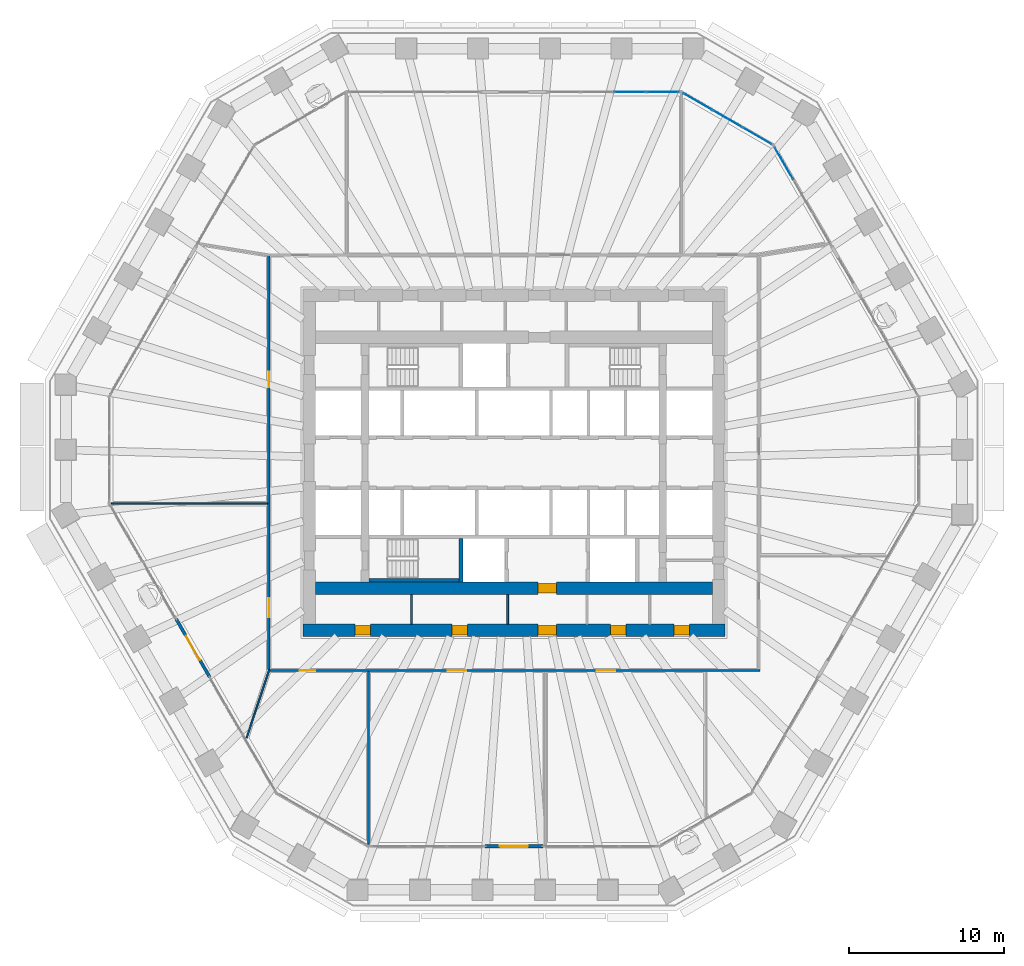
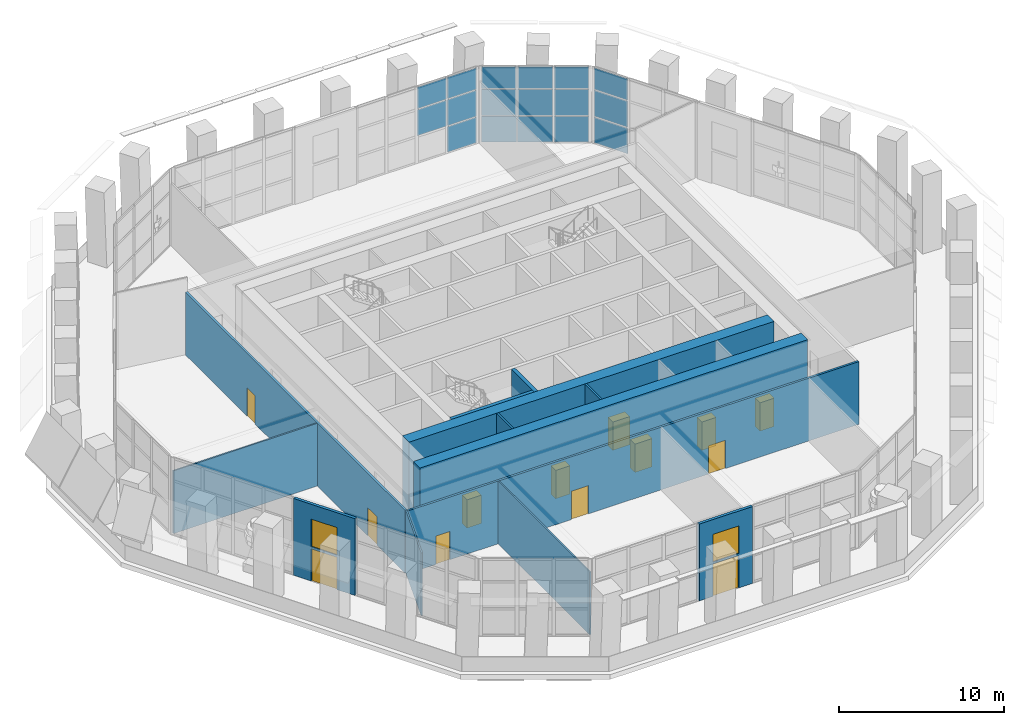
# One storey, part 13 of 22: 17 plates, 13 doors, 13 walls, 2 windows, 15 openings, 3 elements without a shape of their own.
"""IFC4 building model written with IfcOpenShell, lengths in metres."""

from ifc_helpers import new_model, si_unit, direction, frame, frame_2d, origin, origin_2d, place, context, subcontext, project, spatial, rectangle, extrude, material, layer, layer_set, type_object, element, fill, aggregate, save


model = new_model("IFC4")

# Units and contexts
model_context = context("Model", 3, precision=1e-05, world=origin(), true_north=direction((0.0, 1.0)))
body_context = subcontext(model_context, "Body", "Model", "MODEL_VIEW")
ifc_project = project(units=[si_unit("LENGTHUNIT", "METRE"), si_unit("AREAUNIT", "SQUARE_METRE"), si_unit("VOLUMEUNIT", "CUBIC_METRE"), si_unit("PLANEANGLEUNIT", "RADIAN"), si_unit("MASSUNIT", "GRAM", prefix="KILO")], contexts=[model_context])

# Site, building, storey
site_placement = place(None, origin())
site = spatial("IfcSite", under=ifc_project, at=site_placement, CompositionType="ELEMENT")
building_placement = place(site_placement, origin())
building = spatial("IfcBuilding", under=site, at=building_placement, Name="Frailejon Research Tower", CompositionType="ELEMENT")
storey_placement = place(building_placement, frame((0.0, 0.0, 107.199951171875)))
storey = spatial("IfcBuildingStorey", under=building, at=storey_placement, Name="L23", CompositionType="ELEMENT", Elevation=107.199951171875)

# Curtain wall, plates
ifc_material_1 = material(Name="Aluminium curtain wall", Category="aluminium")
curtain_wall_type = type_object("IfcCurtainWallType", Name="Sky lobby curtain wall system", PredefinedType="NOTDEFINED", material=ifc_material_1)
curtain_wall_1_placement = place(storey_placement, origin())
curtain_wall_1 = element("IfcCurtainWall", 1, at=curtain_wall_1_placement, inside=storey, type_object=curtain_wall_type, Name="Curtain wall L23", PredefinedType="NOTDEFINED")
ifc_material_2 = material(Name="Clear laminated glass", Category="glass")
ifc_layer_1 = layer(ifc_material_2, 0.031982421875)
ifc_layer_set_1 = layer_set([ifc_layer_1], Name="Sky lobby curtain wall glass panel 32")
plate_type = type_object("IfcPlateType", Name="Sky lobby curtain wall glass panel 32", PredefinedType="CURTAIN_PANEL", material=ifc_layer_set_1)
plate_1_placement = place(storey_placement, frame((17.4150390625, 19.295654296875, 0.070068359375), z_axis=(0.0, 0.0, 1.0), x_axis=(-0.499994947925, 0.866028320581, 0.0)))
plate_1 = element("IfcPlate", 2, at=plate_1_placement, type_object=plate_type, Name="CW4-083 panel 3.1", PredefinedType="CURTAIN_PANEL", context=body_context, shape_type="SweptSolid", body=[
    extrude(rectangle(XDim=2.355224609375, YDim=0.031982421875, at=origin_2d()), origin(), (0.0, 0.0, 1.0), 1.89501953125),
])
plate_2_placement = place(storey_placement, frame((17.4150390625, 19.295654296875, 2.03515625), z_axis=(0.0, 0.0, 1.0), x_axis=(-0.499994947925, 0.866028320581, 0.0)))
plate_2 = element("IfcPlate", 3, at=plate_2_placement, type_object=plate_type, Name="CW4-083 panel 3.2", PredefinedType="CURTAIN_PANEL", context=body_context, shape_type="SweptSolid", body=[
    extrude(rectangle(XDim=2.355224609375, YDim=0.031982421875, at=origin_2d()), origin(), (0.0, 0.0, 1.0), 1.929931640625),
])
plate_3_placement = place(storey_placement, frame((17.4150390625, 19.295654296875, 4.03515625), z_axis=(0.0, 0.0, 1.0), x_axis=(-0.499994947925, 0.866028320581, 0.0)))
plate_3 = element("IfcPlate", 4, at=plate_3_placement, type_object=plate_type, Name="CW4-083 panel 3.3", PredefinedType="CURTAIN_PANEL", context=body_context, shape_type="SweptSolid", body=[
    extrude(rectangle(XDim=2.355224609375, YDim=0.031982421875, at=origin_2d()), origin(), (0.0, 0.0, 1.0), 1.594970703125),
])
aggregate(curtain_wall_1, [plate_1, plate_2, plate_3])

curtain_wall_2_placement = place(storey_placement, origin())
curtain_wall_2 = element("IfcCurtainWall", 5, at=curtain_wall_2_placement, inside=storey, type_object=curtain_wall_type, Name="Curtain wall L23", PredefinedType="NOTDEFINED")
plate_4_placement = place(storey_placement, frame((15.676025390625, 21.07763671875, 0.070068359375), z_axis=(0.0, 0.0, 1.0), x_axis=(-0.866026409075, 0.499998258782, 0.0)))
plate_4 = element("IfcPlate", 6, at=plate_4_placement, type_object=plate_type, Name="CW4-084 panel 1.1", PredefinedType="CURTAIN_PANEL", context=body_context, shape_type="SweptSolid", body=[
    extrude(rectangle(XDim=2.119873046875, YDim=0.031982421875, at=origin_2d()), origin(), (0.0, 0.0, 1.0), 1.89501953125),
])
plate_5_placement = place(storey_placement, frame((15.676025390625, 21.07763671875, 2.03515625), z_axis=(0.0, 0.0, 1.0), x_axis=(-0.866026409075, 0.499998258782, 0.0)))
plate_5 = element("IfcPlate", 7, at=plate_5_placement, type_object=plate_type, Name="CW4-084 panel 1.2", PredefinedType="CURTAIN_PANEL", context=body_context, shape_type="SweptSolid", body=[
    extrude(rectangle(XDim=2.119873046875, YDim=0.031982421875, at=origin_2d()), origin(), (0.0, 0.0, 1.0), 1.929931640625),
])
plate_6_placement = place(storey_placement, frame((15.676025390625, 21.07763671875, 4.03515625), z_axis=(0.0, 0.0, 1.0), x_axis=(-0.866026409075, 0.499998258782, 0.0)))
plate_6 = element("IfcPlate", 8, at=plate_6_placement, type_object=plate_type, Name="CW4-084 panel 1.3", PredefinedType="CURTAIN_PANEL", context=body_context, shape_type="SweptSolid", body=[
    extrude(rectangle(XDim=2.119873046875, YDim=0.031982421875, at=origin_2d()), origin(), (0.0, 0.0, 1.0), 1.594970703125),
])
plate_7_placement = place(storey_placement, frame((13.764404296875, 22.181396484375, 0.070068359375), z_axis=(0.0, 0.0, 1.0), x_axis=(-0.866026409075, 0.499998258782, 0.0)))
plate_7 = element("IfcPlate", 9, at=plate_7_placement, type_object=plate_type, Name="CW4-084 panel 2.1", PredefinedType="CURTAIN_PANEL", context=body_context, shape_type="SweptSolid", body=[
    extrude(rectangle(XDim=2.15478515625, YDim=0.031982421875, at=origin_2d()), origin(), (0.0, 0.0, 1.0), 1.89501953125),
])
plate_8_placement = place(storey_placement, frame((13.764404296875, 22.181396484375, 2.03515625), z_axis=(0.0, 0.0, 1.0), x_axis=(-0.866026409075, 0.499998258782, 0.0)))
plate_8 = element("IfcPlate", 10, at=plate_8_placement, type_object=plate_type, Name="CW4-084 panel 2.2", PredefinedType="CURTAIN_PANEL", context=body_context, shape_type="SweptSolid", body=[
    extrude(rectangle(XDim=2.15478515625, YDim=0.031982421875, at=origin_2d()), origin(), (0.0, 0.0, 1.0), 1.929931640625),
])
plate_9_placement = place(storey_placement, frame((13.764404296875, 22.181396484375, 4.03515625), z_axis=(0.0, 0.0, 1.0), x_axis=(-0.866026409075, 0.499998258782, 0.0)))
plate_9 = element("IfcPlate", 11, at=plate_9_placement, type_object=plate_type, Name="CW4-084 panel 2.3", PredefinedType="CURTAIN_PANEL", context=body_context, shape_type="SweptSolid", body=[
    extrude(rectangle(XDim=2.15478515625, YDim=0.031982421875, at=origin_2d()), origin(), (0.0, 0.0, 1.0), 1.594970703125),
])
plate_10_placement = place(storey_placement, frame((11.852783203125, 23.284912109375, 0.070068359375), z_axis=(0.0, 0.0, 1.0), x_axis=(-0.866026409075, 0.499998258782, 0.0)))
plate_10 = element("IfcPlate", 12, at=plate_10_placement, type_object=plate_type, Name="CW4-084 panel 3.1", PredefinedType="CURTAIN_PANEL", context=body_context, shape_type="SweptSolid", body=[
    extrude(rectangle(XDim=2.119873046875, YDim=0.031982421875, at=origin_2d()), origin(), (0.0, 0.0, 1.0), 1.89501953125),
])
plate_11_placement = place(storey_placement, frame((11.852783203125, 23.284912109375, 2.03515625), z_axis=(0.0, 0.0, 1.0), x_axis=(-0.866026409075, 0.499998258782, 0.0)))
plate_11 = element("IfcPlate", 13, at=plate_11_placement, type_object=plate_type, Name="CW4-084 panel 3.2", PredefinedType="CURTAIN_PANEL", context=body_context, shape_type="SweptSolid", body=[
    extrude(rectangle(XDim=2.119873046875, YDim=0.031982421875, at=origin_2d()), origin(), (0.0, 0.0, 1.0), 1.929931640625),
])
plate_12_placement = place(storey_placement, frame((11.852783203125, 23.284912109375, 4.03515625), z_axis=(0.0, 0.0, 1.0), x_axis=(-0.866026409075, 0.499998258782, 0.0)))
plate_12 = element("IfcPlate", 14, at=plate_12_placement, type_object=plate_type, Name="CW4-084 panel 3.3", PredefinedType="CURTAIN_PANEL", context=body_context, shape_type="SweptSolid", body=[
    extrude(rectangle(XDim=2.119873046875, YDim=0.031982421875, at=origin_2d()), origin(), (0.0, 0.0, 1.0), 1.594970703125),
])
aggregate(curtain_wall_2, [plate_4, plate_5, plate_6, plate_7, plate_8, plate_9, plate_10, plate_11, plate_12])

curtain_wall_3_placement = place(storey_placement, origin())
curtain_wall_3 = element("IfcCurtainWall", 15, at=curtain_wall_3_placement, inside=storey, type_object=curtain_wall_type, Name="Curtain wall L23", PredefinedType="NOTDEFINED")
plate_13_placement = place(storey_placement, frame((9.603759765625, 23.89990234375, 0.070068359375), z_axis=(0.0, 0.0, 1.0), x_axis=(-1.0, 0.0, 0.0)))
plate_13 = element("IfcPlate", 16, at=plate_13_placement, type_object=plate_type, Name="CW4-085 panel 1.1", PredefinedType="CURTAIN_PANEL", context=body_context, shape_type="SweptSolid", body=[
    extrude(rectangle(XDim=2.027587890625, YDim=0.031982421875, at=origin_2d()), origin(), (0.0, 0.0, 1.0), 1.89501953125),
])
plate_14_placement = place(storey_placement, frame((9.603759765625, 23.89990234375, 2.03515625), z_axis=(0.0, 0.0, 1.0), x_axis=(-1.0, 0.0, 0.0)))
plate_14 = element("IfcPlate", 17, at=plate_14_placement, type_object=plate_type, Name="CW4-085 panel 1.2", PredefinedType="CURTAIN_PANEL", context=body_context, shape_type="SweptSolid", body=[
    extrude(rectangle(XDim=2.027587890625, YDim=0.031982421875, at=origin_2d()), origin(), (0.0, 0.0, 1.0), 1.929931640625),
])
plate_15_placement = place(storey_placement, frame((9.603759765625, 23.89990234375, 4.03515625), z_axis=(0.0, 0.0, 1.0), x_axis=(-1.0, 0.0, 0.0)))
plate_15 = element("IfcPlate", 18, at=plate_15_placement, type_object=plate_type, Name="CW4-085 panel 1.3", PredefinedType="CURTAIN_PANEL", context=body_context, shape_type="SweptSolid", body=[
    extrude(rectangle(XDim=2.027587890625, YDim=0.031982421875, at=origin_2d()), origin(), (0.0, 0.0, 1.0), 1.594970703125),
])
plate_16_placement = place(storey_placement, frame((7.48876953125, 23.89990234375, 2.03515625), z_axis=(0.0, 0.0, 1.0), x_axis=(-1.0, 0.0, 0.0)))
plate_16 = element("IfcPlate", 19, at=plate_16_placement, type_object=plate_type, Name="CW4-085 panel 2.2", PredefinedType="CURTAIN_PANEL", context=body_context, shape_type="SweptSolid", body=[
    extrude(rectangle(XDim=2.0625, YDim=0.031982421875, at=origin_2d()), origin(), (0.0, 0.0, 1.0), 1.929931640625),
])
plate_17_placement = place(storey_placement, frame((7.48876953125, 23.89990234375, 4.03515625), z_axis=(0.0, 0.0, 1.0), x_axis=(-1.0, 0.0, 0.0)))
plate_17 = element("IfcPlate", 20, at=plate_17_placement, type_object=plate_type, Name="CW4-085 panel 2.3", PredefinedType="CURTAIN_PANEL", context=body_context, shape_type="SweptSolid", body=[
    extrude(rectangle(XDim=2.0625, YDim=0.031982421875, at=origin_2d()), origin(), (0.0, 0.0, 1.0), 1.594970703125),
])
aggregate(curtain_wall_3, [plate_13, plate_14, plate_15, plate_16, plate_17])

# Walls
ifc_material_3 = material(Name="Plasterboard on steel studs", Category="steel")
ifc_layer_2 = layer(ifc_material_3, 0.125)
ifc_layer_set_2 = layer_set([ifc_layer_2], Name="Core partition 125")
wall_type_1 = type_object("IfcWallType", Name="Core partition 125", PredefinedType="PARTITIONING", material=ifc_layer_set_2)
for number, where, z_axis, x_axis, name in (
    (21, (-6.606201171875, -10.39990234375, 0.0), (0.0, 0.0, 1.0), (0.0, 1.0, 0.0), "Core partition"),
    (22, (-0.41259765625, -10.39990234375, 0.0), (0.0, 0.0, 1.0), (0.0, 1.0, 0.0), "Core partition"),
):
    element("IfcWall", number, at=place(storey_placement, frame(where, z_axis=z_axis, x_axis=x_axis)), inside=storey, type_object=wall_type_1, Name=name, PredefinedType="PARTITIONING", context=body_context, shape_type="SweptSolid", body=[
        extrude(rectangle(XDim=1.89990234375, YDim=0.125, at=frame_2d((0.949951171875, 0.0))), origin(), (0.0, 0.0, 1.0), 5.699951171875),
    ])

# Wall, openings, doors
ifc_material_4 = material(Name="Concrete C70/85", Category="concrete")
ifc_layer_3 = layer(ifc_material_4, 0.800048828125)
ifc_layer_set_3 = layer_set([ifc_layer_3], Name="Core shear wall 800 C70/85")
wall_type_2 = type_object("IfcWallType", Name="Core shear wall 800 C70/85", PredefinedType="SHEAR", material=ifc_layer_set_3)
wall_1_placement = place(storey_placement, frame((-13.60009765625, -10.800048828125, 0.0), z_axis=(0.0, 0.0, 1.0), x_axis=(1.0, 0.0, 0.0)))
wall_1 = element("IfcWall", 23, at=wall_1_placement, inside=storey, type_object=wall_type_2, Name="Core shear wall", PredefinedType="SHEAR", context=body_context, shape_type="SweptSolid", body=[
    extrude(rectangle(XDim=27.2001953125, YDim=0.800048828125, at=frame_2d((13.60009765625, 0.0))), origin(), (0.0, 0.0, 1.0), 5.699951171875),
])
opening_1_placement = place(wall_1_placement, frame((3.365478515625, 0.0, 0.0)))
opening_1 = element("IfcOpeningElement", 24, at=opening_1_placement, cuts=wall_1, Name="Opening D4", PredefinedType="OPENING", context=body_context, shape_type="SweptSolid", body=[
    extrude(rectangle(XDim=1.0, YDim=2.10009765625, at=frame_2d((0.5, 1.050048828125))), frame((0.0, 0.409912109375, 0.0), z_axis=(0.0, -1.0, 0.0), x_axis=(1.0, 0.0, 0.0)), (0.0, 0.0, 1.0), 0.820068359375),
])
opening_2_placement = place(wall_1_placement, frame((9.590576171875, 0.0, 0.0)))
opening_2 = element("IfcOpeningElement", 25, at=opening_2_placement, cuts=wall_1, Name="Opening D4", PredefinedType="OPENING", context=body_context, shape_type="SweptSolid", body=[
    extrude(rectangle(XDim=1.0, YDim=2.10009765625, at=frame_2d((0.5, 1.050048828125))), frame((0.0, 0.409912109375, 0.0), z_axis=(0.0, -1.0, 0.0), x_axis=(1.0, 0.0, 0.0)), (0.0, 0.0, 1.0), 0.820068359375),
])
opening_3_placement = place(wall_1_placement, frame((19.83447265625, 0.0, 0.0)))
opening_3 = element("IfcOpeningElement", 26, at=opening_3_placement, cuts=wall_1, Name="Opening D4", PredefinedType="OPENING", context=body_context, shape_type="SweptSolid", body=[
    extrude(rectangle(XDim=1.0, YDim=2.10009765625, at=frame_2d((0.5, 1.050048828125))), frame((0.0, 0.409912109375, 0.0), z_axis=(0.0, -1.0, 0.0), x_axis=(1.0, 0.0, 0.0)), (0.0, 0.0, 1.0), 0.820068359375),
])
opening_4_placement = place(wall_1_placement, frame((23.909423828125, 0.0, 0.0)))
opening_4 = element("IfcOpeningElement", 27, at=opening_4_placement, cuts=wall_1, Name="Opening D4", PredefinedType="OPENING", context=body_context, shape_type="SweptSolid", body=[
    extrude(rectangle(XDim=1.0, YDim=2.10009765625, at=frame_2d((0.5, 1.050048828125))), frame((0.0, 0.409912109375, 0.0), z_axis=(0.0, -1.0, 0.0), x_axis=(1.0, 0.0, 0.0)), (0.0, 0.0, 1.0), 0.820068359375),
])
opening_5_placement = place(wall_1_placement, frame((15.14990234375, 0.0, 0.0)))
opening_5 = element("IfcOpeningElement", 28, at=opening_5_placement, cuts=wall_1, Name="Opening D3", PredefinedType="OPENING", context=body_context, shape_type="SweptSolid", body=[
    extrude(rectangle(XDim=1.199951171875, YDim=2.10009765625, at=frame_2d((0.60009765625, 1.050048828125))), frame((0.0, 0.409912109375, 0.0), z_axis=(0.0, -1.0, 0.0), x_axis=(1.0, 0.0, 0.0)), (0.0, 0.0, 1.0), 0.820068359375),
])
ifc_material_5 = material(Name="Steel", Category="steel")
door_type_1 = type_object("IfcDoorType", Name="Firefighting lobby door", OperationType="SINGLE_SWING_LEFT", PredefinedType="DOOR", material=ifc_material_5)
door_1_placement = place(opening_5_placement, origin())
door_1 = element("IfcDoor", 29, at=door_1_placement, inside=storey, type_object=door_type_1, Name="Passage door", OperationType="SINGLE_SWING_LEFT", OverallHeight=2.10009765625, OverallWidth=1.199951171875, PredefinedType="DOOR", context=body_context, shape_type="SweptSolid", body=[
    extrude(rectangle(XDim=1.199951171875, YDim=2.10009765625, at=frame_2d((0.60009765625, 1.050048828125))), frame((0.0, 0.300048828125, 0.0), z_axis=(0.0, -1.0, 0.0), x_axis=(1.0, 0.0, 0.0)), (0.0, 0.0, 1.0), 0.60009765625),
])
fill(opening_5, door_1)
ifc_material_6 = material(Name="Steel", Category="steel")
door_type_2 = type_object("IfcDoorType", Name="Service door", OperationType="SINGLE_SWING_LEFT", PredefinedType="DOOR", material=ifc_material_6)
door_2_placement = place(opening_1_placement, origin())
door_2 = element("IfcDoor", 30, at=door_2_placement, inside=storey, type_object=door_type_2, Name="Room door", OperationType="SINGLE_SWING_LEFT", OverallHeight=2.10009765625, OverallWidth=1.0, PredefinedType="DOOR", context=body_context, shape_type="SweptSolid", body=[
    extrude(rectangle(XDim=1.0, YDim=2.10009765625, at=frame_2d((0.5, 1.050048828125))), frame((0.0, 0.300048828125, 0.0), z_axis=(0.0, -1.0, 0.0), x_axis=(1.0, 0.0, 0.0)), (0.0, 0.0, 1.0), 0.60009765625),
])
fill(opening_1, door_2)
door_3_placement = place(opening_2_placement, origin())
door_3 = element("IfcDoor", 31, at=door_3_placement, inside=storey, type_object=door_type_2, Name="Room door", OperationType="SINGLE_SWING_RIGHT", OverallHeight=2.10009765625, OverallWidth=1.0, PredefinedType="DOOR", context=body_context, shape_type="SweptSolid", body=[
    extrude(rectangle(XDim=1.0, YDim=2.10009765625, at=frame_2d((0.5, 1.050048828125))), frame((0.0, 0.300048828125, 0.0), z_axis=(0.0, -1.0, 0.0), x_axis=(1.0, 0.0, 0.0)), (0.0, 0.0, 1.0), 0.60009765625),
])
fill(opening_2, door_3)
door_4_placement = place(opening_3_placement, origin())
door_4 = element("IfcDoor", 32, at=door_4_placement, inside=storey, type_object=door_type_2, Name="Room door", OperationType="SINGLE_SWING_LEFT", OverallHeight=2.10009765625, OverallWidth=1.0, PredefinedType="DOOR", context=body_context, shape_type="SweptSolid", body=[
    extrude(rectangle(XDim=1.0, YDim=2.10009765625, at=frame_2d((0.5, 1.050048828125))), frame((0.0, 0.300048828125, 0.0), z_axis=(0.0, -1.0, 0.0), x_axis=(1.0, 0.0, 0.0)), (0.0, 0.0, 1.0), 0.60009765625),
])
fill(opening_3, door_4)
door_5_placement = place(opening_4_placement, origin())
door_5 = element("IfcDoor", 33, at=door_5_placement, inside=storey, type_object=door_type_2, Name="Room door", OperationType="SINGLE_SWING_RIGHT", OverallHeight=2.10009765625, OverallWidth=1.0, PredefinedType="DOOR", context=body_context, shape_type="SweptSolid", body=[
    extrude(rectangle(XDim=1.0, YDim=2.10009765625, at=frame_2d((0.5, 1.050048828125))), frame((0.0, 0.300048828125, 0.0), z_axis=(0.0, -1.0, 0.0), x_axis=(1.0, 0.0, 0.0)), (0.0, 0.0, 1.0), 0.60009765625),
])
fill(opening_4, door_5)

# Wall, opening, door
wall_2_placement = place(storey_placement, frame((-12.800048828125, -8.10009765625, 0.0), z_axis=(0.0, 0.0, 1.0), x_axis=(1.0, 0.0, 0.0)))
wall_2 = element("IfcWall", 34, at=wall_2_placement, inside=storey, type_object=wall_type_2, Name="Core shear wall", PredefinedType="SHEAR", context=body_context, shape_type="SweptSolid", body=[
    extrude(rectangle(XDim=25.60009765625, YDim=0.800048828125, at=frame_2d((12.800048828125, 0.0))), origin(), (0.0, 0.0, 1.0), 5.699951171875),
])
opening_6_placement = place(wall_2_placement, frame((14.35009765625, 0.0, 0.0)))
opening_6 = element("IfcOpeningElement", 35, at=opening_6_placement, cuts=wall_2, Name="Opening D3", PredefinedType="OPENING", context=body_context, shape_type="SweptSolid", body=[
    extrude(rectangle(XDim=1.199951171875, YDim=2.10009765625, at=frame_2d((0.60009765625, 1.050048828125))), frame((0.0, 0.409912109375, 0.0), z_axis=(0.0, -1.0, 0.0), x_axis=(1.0, 0.0, 0.0)), (0.0, 0.0, 1.0), 0.820068359375),
])
door_6_placement = place(opening_6_placement, origin())
door_6 = element("IfcDoor", 36, at=door_6_placement, inside=storey, type_object=door_type_1, Name="Firefighting lobby door", OperationType="SINGLE_SWING_RIGHT", OverallHeight=2.10009765625, OverallWidth=1.199951171875, PredefinedType="DOOR", context=body_context, shape_type="SweptSolid", body=[
    extrude(rectangle(XDim=1.199951171875, YDim=2.10009765625, at=frame_2d((0.60009765625, 1.050048828125))), frame((0.0, 0.300048828125, 0.0), z_axis=(0.0, -1.0, 0.0), x_axis=(1.0, 0.0, 0.0)), (0.0, 0.0, 1.0), 0.60009765625),
])
fill(opening_6, door_6)

# Wall, openings, doors
ifc_material_7 = material(Name="Gypsum board and masonry partition", Category="masonry")
ifc_layer_4 = layer(ifc_material_7, 0.14990234375)
ifc_layer_set_4 = layer_set([ifc_layer_4], Name="Corridor wall EI 60, gypsum on steel studs 150")
wall_type_3 = type_object("IfcWallType", Name="Corridor wall EI 60, gypsum on steel studs 150", PredefinedType="PARTITIONING", material=ifc_layer_set_4)
wall_3_placement = place(storey_placement, frame((-15.800048828125, -13.324951171875, 0.0), z_axis=(0.0, 0.0, 1.0), x_axis=(0.0, 1.0, 0.0)))
wall_3 = element("IfcWall", 37, at=wall_3_placement, inside=storey, type_object=wall_type_3, Name="T:IW:L23:003", PredefinedType="PARTITIONING", context=body_context, shape_type="SweptSolid", body=[
    extrude(rectangle(XDim=26.675048828125, YDim=0.14990234375, at=frame_2d((13.33740234375, 0.0))), origin(), (0.0, 0.0, 1.0), 4.650146484375),
])
opening_7_placement = place(wall_3_placement, frame((18.207763671875, 0.0, 0.0)))
opening_7 = element("IfcOpeningElement", 38, at=opening_7_placement, cuts=wall_3, Name="Opening D1103", PredefinedType="OPENING", context=body_context, shape_type="SweptSolid", body=[
    extrude(rectangle(XDim=1.0, YDim=2.10009765625, at=frame_2d((0.5, 1.050048828125))), frame((0.0, 0.0849609375, 0.0), z_axis=(0.0, -1.0, 0.0), x_axis=(1.0, 0.0, 0.0)), (0.0, 0.0, 1.0), 0.169921875),
])
opening_8_placement = place(wall_3_placement, frame((3.3779296875, 0.0, 0.0)))
opening_8 = element("IfcOpeningElement", 39, at=opening_8_placement, cuts=wall_3, Name="Opening D1104", PredefinedType="OPENING", context=body_context, shape_type="SweptSolid", body=[
    extrude(rectangle(XDim=1.199951171875, YDim=2.10009765625, at=frame_2d((0.60009765625, 1.050048828125))), frame((0.0, 0.0849609375, 0.0), z_axis=(0.0, -1.0, 0.0), x_axis=(1.0, 0.0, 0.0)), (0.0, 0.0, 1.0), 0.169921875),
])
ifc_material_8 = material(Name="Timber door leaf", Category="wood")
door_type_3 = type_object("IfcDoorType", Name="Door single leaf, timber, steel frame 1000", OperationType="NOTDEFINED", PredefinedType="DOOR", material=ifc_material_8)
door_7_placement = place(opening_7_placement, origin())
door_7 = element("IfcDoor", 40, at=door_7_placement, inside=storey, type_object=door_type_3, Name="D1103", OperationType="SINGLE_SWING_RIGHT", OverallHeight=2.10009765625, OverallWidth=1.0, PredefinedType="DOOR", context=body_context, shape_type="SweptSolid", body=[
    extrude(rectangle(XDim=1.0, YDim=2.10009765625, at=frame_2d((0.5, 1.050048828125))), frame((0.0, 0.02490234375, 0.0), z_axis=(0.0, -1.0, 0.0), x_axis=(1.0, 0.0, 0.0)), (0.0, 0.0, 1.0), 0.050048828125),
])
fill(opening_7, door_7)
ifc_material_9 = material(Name="Timber door leaf", Category="wood")
door_type_4 = type_object("IfcDoorType", Name="Door single leaf, timber, steel frame 1200", OperationType="NOTDEFINED", PredefinedType="DOOR", material=ifc_material_9)
door_8_placement = place(opening_8_placement, origin())
door_8 = element("IfcDoor", 41, at=door_8_placement, inside=storey, type_object=door_type_4, Name="D1104", OperationType="DOUBLE_DOOR_SINGLE_SWING", OverallHeight=2.10009765625, OverallWidth=1.199951171875, PredefinedType="DOOR", context=body_context, shape_type="SweptSolid", body=[
    extrude(rectangle(XDim=1.199951171875, YDim=2.10009765625, at=frame_2d((0.60009765625, 1.050048828125))), frame((0.0, 0.02490234375, 0.0), z_axis=(0.0, -1.0, 0.0), x_axis=(1.0, 0.0, 0.0)), (0.0, 0.0, 1.0), 0.050048828125),
])
fill(opening_8, door_8)

wall_4_placement = place(storey_placement, frame((-15.75, -13.39990234375, 0.0), z_axis=(0.0, 0.0, 1.0), x_axis=(1.0, 0.0, 0.0)))
wall_4 = element("IfcWall", 42, at=wall_4_placement, inside=storey, type_object=wall_type_3, Name="T:IW:L23:004", PredefinedType="PARTITIONING", context=body_context, shape_type="SweptSolid", body=[
    extrude(rectangle(XDim=31.625, YDim=0.14990234375, at=frame_2d((15.8125, 0.0))), origin(), (0.0, 0.0, 1.0), 4.650146484375),
])
opening_9_placement = place(wall_4_placement, frame((1.952880859375, 0.0, 0.0)))
opening_9 = element("IfcOpeningElement", 43, at=opening_9_placement, cuts=wall_4, Name="Opening D1105", PredefinedType="OPENING", context=body_context, shape_type="SweptSolid", body=[
    extrude(rectangle(XDim=1.0, YDim=2.10009765625, at=frame_2d((0.5, 1.050048828125))), frame((0.0, 0.0849609375, 0.0), z_axis=(0.0, -1.0, 0.0), x_axis=(1.0, 0.0, 0.0)), (0.0, 0.0, 1.0), 0.169921875),
])
opening_10_placement = place(wall_4_placement, frame((11.471435546875, 0.0, 0.0)))
opening_10 = element("IfcOpeningElement", 44, at=opening_10_placement, cuts=wall_4, Name="Opening D1106", PredefinedType="OPENING", context=body_context, shape_type="SweptSolid", body=[
    extrude(rectangle(XDim=1.199951171875, YDim=2.10009765625, at=frame_2d((0.60009765625, 1.050048828125))), frame((0.0, 0.0849609375, 0.0), z_axis=(0.0, -1.0, 0.0), x_axis=(1.0, 0.0, 0.0)), (0.0, 0.0, 1.0), 0.169921875),
])
opening_11_placement = place(wall_4_placement, frame((21.080078125, 0.0, 0.0)))
opening_11 = element("IfcOpeningElement", 45, at=opening_11_placement, cuts=wall_4, Name="Opening D1107", PredefinedType="OPENING", context=body_context, shape_type="SweptSolid", body=[
    extrude(rectangle(XDim=1.199951171875, YDim=2.10009765625, at=frame_2d((0.60009765625, 1.050048828125))), frame((0.0, 0.0849609375, 0.0), z_axis=(0.0, -1.0, 0.0), x_axis=(1.0, 0.0, 0.0)), (0.0, 0.0, 1.0), 0.169921875),
])
door_9_placement = place(opening_9_placement, origin())
door_9 = element("IfcDoor", 46, at=door_9_placement, inside=storey, type_object=door_type_3, Name="D1105", OperationType="SINGLE_SWING_RIGHT", OverallHeight=2.10009765625, OverallWidth=1.0, PredefinedType="DOOR", context=body_context, shape_type="SweptSolid", body=[
    extrude(rectangle(XDim=1.0, YDim=2.10009765625, at=frame_2d((0.5, 1.050048828125))), frame((0.0, 0.02490234375, 0.0), z_axis=(0.0, -1.0, 0.0), x_axis=(1.0, 0.0, 0.0)), (0.0, 0.0, 1.0), 0.050048828125),
])
fill(opening_9, door_9)
door_10_placement = place(opening_10_placement, origin())
door_10 = element("IfcDoor", 47, at=door_10_placement, inside=storey, type_object=door_type_4, Name="D1106", OperationType="DOUBLE_DOOR_SINGLE_SWING", OverallHeight=2.10009765625, OverallWidth=1.199951171875, PredefinedType="DOOR", context=body_context, shape_type="SweptSolid", body=[
    extrude(rectangle(XDim=1.199951171875, YDim=2.10009765625, at=frame_2d((0.60009765625, 1.050048828125))), frame((0.0, 0.02490234375, 0.0), z_axis=(0.0, -1.0, 0.0), x_axis=(1.0, 0.0, 0.0)), (0.0, 0.0, 1.0), 0.050048828125),
])
fill(opening_10, door_10)
door_11_placement = place(opening_11_placement, origin())
door_11 = element("IfcDoor", 48, at=door_11_placement, inside=storey, type_object=door_type_4, Name="D1107", OperationType="DOUBLE_DOOR_SINGLE_SWING", OverallHeight=2.10009765625, OverallWidth=1.199951171875, PredefinedType="DOOR", context=body_context, shape_type="SweptSolid", body=[
    extrude(rectangle(XDim=1.199951171875, YDim=2.10009765625, at=frame_2d((0.60009765625, 1.050048828125))), frame((0.0, 0.02490234375, 0.0), z_axis=(0.0, -1.0, 0.0), x_axis=(1.0, 0.0, 0.0)), (0.0, 0.0, 1.0), 0.050048828125),
])
fill(opening_11, door_11)

# Walls
ifc_material_10 = material(Name="Gypsum board and masonry partition", Category="masonry")
ifc_layer_5 = layer(ifc_material_10, 0.10009765625)
ifc_layer_set_5 = layer_set([ifc_layer_5], Name="Partition, gypsum on steel studs 100")
wall_type_4 = type_object("IfcWallType", Name="Partition, gypsum on steel studs 100", PredefinedType="PARTITIONING", material=ifc_layer_set_5)
wall_5_placement = place(storey_placement, frame((-25.9609375, -2.634521484375, 0.0), z_axis=(0.0, 0.0, 1.0), x_axis=(1.0, 0.0, 0.0)))
element("IfcWall", 49, at=wall_5_placement, inside=storey, type_object=wall_type_4, Name="T:IW:L23:010", PredefinedType="PARTITIONING", context=body_context, shape_type="SweptSolid", body=[
    extrude(rectangle(XDim=10.0859375, YDim=0.10009765625, at=frame_2d((5.04296875, 0.0))), origin(), (0.0, 0.0, 1.0), 4.650146484375),
])
wall_6_placement = place(storey_placement, frame((-17.239013671875, -17.7412109375, 0.0), z_axis=(0.0, 0.0, 1.0), x_axis=(0.314651707898, 0.949207196937, 0.0)))
element("IfcWall", 50, at=wall_6_placement, inside=storey, type_object=wall_type_4, Name="T:IW:L23:011", PredefinedType="PARTITIONING", context=body_context, shape_type="SweptSolid", body=[
    extrude(rectangle(XDim=4.6484375, YDim=0.10009765625, at=frame_2d((2.32421875, 0.0))), origin(), (0.0, 0.0, 1.0), 4.650146484375),
])
wall_7_placement = place(storey_placement, frame((-9.37744140625, -24.5986328125, 0.0), z_axis=(0.0, 0.0, 1.0), x_axis=(0.0, 1.0, 0.0)))
element("IfcWall", 51, at=wall_7_placement, inside=storey, type_object=wall_type_4, Name="T:IW:L23:012", PredefinedType="PARTITIONING", context=body_context, shape_type="SweptSolid", body=[
    extrude(rectangle(XDim=11.12353515625, YDim=0.10009765625, at=frame_2d((5.561767578125, 0.0))), origin(), (0.0, 0.0, 1.0), 4.650146484375),
])
ifc_material_11 = material(Name="Concrete C70/85", Category="concrete")
ifc_layer_6 = layer(ifc_material_11, 0.25)
ifc_layer_set_6 = layer_set([ifc_layer_6], Name="Shaft wall 250 C70/85")
wall_type_5 = type_object("IfcWallType", Name="Shaft wall 250 C70/85", PredefinedType="SOLIDWALL", material=ifc_layer_set_6)
wall_8_placement = place(storey_placement, frame((-9.35009765625, -7.574951171875, 0.0), z_axis=(0.0, 0.0, 1.0), x_axis=(1.0, 0.0, 0.0)))
element("IfcWall", 52, at=wall_8_placement, inside=storey, type_object=wall_type_5, Name="Shaft wall", PredefinedType="SOLIDWALL", context=body_context, shape_type="SweptSolid", body=[
    extrude(rectangle(XDim=5.800048828125, YDim=0.25, at=frame_2d((2.89990234375, 0.0))), origin(), (0.0, 0.0, 1.0), 5.699951171875),
])
wall_9_placement = place(storey_placement, frame((-3.425048828125, -7.699951171875, 0.0), z_axis=(0.0, 0.0, 1.0), x_axis=(0.0, 1.0, 0.0)))
element("IfcWall", 53, at=wall_9_placement, inside=storey, type_object=wall_type_5, Name="Shaft wall", PredefinedType="SOLIDWALL", context=body_context, shape_type="SweptSolid", body=[
    extrude(rectangle(XDim=2.800048828125, YDim=0.25, at=frame_2d((1.39990234375, 0.0))), origin(), (0.0, 0.0, 1.0), 5.699951171875),
])

# Wall, openings, door, window
ifc_material_12 = material(Name="Concrete C40/50 precast window wall panel", Category="concrete")
ifc_layer_7 = layer(ifc_material_12, 0.199951171875)
ifc_layer_set_7 = layer_set([ifc_layer_7], Name="Window wall 200")
wall_type_6 = type_object("IfcWallType", Name="Window wall 200", PredefinedType="SOLIDWALL", material=ifc_layer_set_7)
wall_10_placement = place(storey_placement, frame((-21.77685546875, -10.08154296875, 0.0), z_axis=(0.0, 0.0, 1.0), x_axis=(0.50002119175, -0.866013168376, 0.0)))
wall_10 = element("IfcWall", 54, at=wall_10_placement, inside=storey, type_object=wall_type_6, Name="Door pier L23", PredefinedType="SOLIDWALL", context=body_context, shape_type="SweptSolid", body=[
    extrude(rectangle(XDim=4.315185546875, YDim=0.199951171875, at=frame_2d((2.15771484375, 0.0))), origin(), (0.0, 0.0, 1.0), 5.699951171875),
])
opening_12_placement = place(wall_10_placement, frame((1.257568359375, 0.0, 0.0)))
opening_12 = element("IfcOpeningElement", 55, at=opening_12_placement, cuts=wall_10, Name="Opening LG23-4", PredefinedType="OPENING", context=body_context, shape_type="SweptSolid", body=[
    extrude(rectangle(XDim=1.800048828125, YDim=2.39990234375, at=frame_2d((0.89990234375, 1.199951171875))), frame((0.0, 0.10986328125, 0.0), z_axis=(0.0, -1.0, 0.0), x_axis=(1.0, 0.0, 0.0)), (0.0, 0.0, 1.0), 0.219970703125),
])
opening_13_placement = place(wall_10_placement, frame((1.257568359375, 0.0, 2.550048828125)))
opening_13 = element("IfcOpeningElement", 56, at=opening_13_placement, cuts=wall_10, Name="Opening W15", PredefinedType="OPENING", context=body_context, shape_type="SweptSolid", body=[
    extrude(rectangle(XDim=1.800048828125, YDim=2.050048828125, at=frame_2d((0.89990234375, 1.02490234375))), frame((0.0, 0.10986328125, 0.0), z_axis=(0.0, -1.0, 0.0), x_axis=(1.0, 0.0, 0.0)), (0.0, 0.0, 1.0), 0.219970703125),
])
ifc_material_13 = material(Name="Aluminium framed glazed door leaf", Category="aluminium")
door_type_5 = type_object("IfcDoorType", Name="Loggia door 1800x2400", OperationType="DOUBLE_DOOR_SINGLE_SWING", PredefinedType="DOOR", material=ifc_material_13)
door_12_placement = place(opening_12_placement, origin())
door_12 = element("IfcDoor", 57, at=door_12_placement, inside=storey, type_object=door_type_5, Name="Door LG23-4", OperationType="DOUBLE_DOOR_SINGLE_SWING", OverallHeight=2.39990234375, OverallWidth=1.800048828125, PredefinedType="DOOR", context=body_context, shape_type="SweptSolid", body=[
    extrude(rectangle(XDim=1.800048828125, YDim=2.39990234375, at=frame_2d((0.89990234375, 1.199951171875))), frame((0.0, 0.02490234375, 0.0), z_axis=(0.0, -1.0, 0.0), x_axis=(1.0, 0.0, 0.0)), (0.0, 0.0, 1.0), 0.050048828125),
])
fill(opening_12, door_12)
ifc_material_14 = material(Name="Aluminium framed double glazing", Category="aluminium")
window_type = type_object("IfcWindowType", Name="Window 1800x2050", PartitioningType="SINGLE_PANEL", PredefinedType="WINDOW", material=ifc_material_14)
window_1_placement = place(opening_13_placement, origin())
window_1 = element("IfcWindow", 58, at=window_1_placement, inside=storey, type_object=window_type, Name="Window L23", OverallHeight=2.050048828125, OverallWidth=1.800048828125, PartitioningType="SINGLE_PANEL", PredefinedType="WINDOW", context=body_context, shape_type="SweptSolid", body=[
    extrude(rectangle(XDim=1.800048828125, YDim=2.050048828125, at=frame_2d((0.89990234375, 1.02490234375))), frame((0.0, 0.030029296875, 0.0), z_axis=(0.0, -1.0, 0.0), x_axis=(1.0, 0.0, 0.0)), (0.0, 0.0, 1.0), 0.06005859375),
])
fill(opening_13, window_1)

wall_11_placement = place(storey_placement, frame((-1.8701171875, -24.729736328125, 0.0), z_axis=(0.0, 0.0, 1.0), x_axis=(1.0, 0.0, 0.0)))
wall_11 = element("IfcWall", 59, at=wall_11_placement, inside=storey, type_object=wall_type_6, Name="Door pier L23", PredefinedType="SOLIDWALL", context=body_context, shape_type="SweptSolid", body=[
    extrude(rectangle(XDim=3.740234375, YDim=0.199951171875, at=frame_2d((1.8701171875, 0.0))), origin(), (0.0, 0.0, 1.0), 5.699951171875),
])
opening_14_placement = place(wall_11_placement, frame((0.97021484375, 0.0, 0.0)))
opening_14 = element("IfcOpeningElement", 60, at=opening_14_placement, cuts=wall_11, Name="Opening LG23-5", PredefinedType="OPENING", context=body_context, shape_type="SweptSolid", body=[
    extrude(rectangle(XDim=1.800048828125, YDim=2.39990234375, at=frame_2d((0.89990234375, 1.199951171875))), frame((0.0, 0.10986328125, 0.0), z_axis=(0.0, -1.0, 0.0), x_axis=(1.0, 0.0, 0.0)), (0.0, 0.0, 1.0), 0.219970703125),
])
opening_15_placement = place(wall_11_placement, frame((0.97021484375, 0.0, 2.550048828125)))
opening_15 = element("IfcOpeningElement", 61, at=opening_15_placement, cuts=wall_11, Name="Opening W15", PredefinedType="OPENING", context=body_context, shape_type="SweptSolid", body=[
    extrude(rectangle(XDim=1.800048828125, YDim=2.050048828125, at=frame_2d((0.89990234375, 1.02490234375))), frame((0.0, 0.10986328125, 0.0), z_axis=(0.0, -1.0, 0.0), x_axis=(1.0, 0.0, 0.0)), (0.0, 0.0, 1.0), 0.219970703125),
])
door_13_placement = place(opening_14_placement, origin())
door_13 = element("IfcDoor", 62, at=door_13_placement, inside=storey, type_object=door_type_5, Name="Door LG23-5", OperationType="DOUBLE_DOOR_SINGLE_SWING", OverallHeight=2.39990234375, OverallWidth=1.800048828125, PredefinedType="DOOR", context=body_context, shape_type="SweptSolid", body=[
    extrude(rectangle(XDim=1.800048828125, YDim=2.39990234375, at=frame_2d((0.89990234375, 1.199951171875))), frame((0.0, 0.02490234375, 0.0), z_axis=(0.0, -1.0, 0.0), x_axis=(1.0, 0.0, 0.0)), (0.0, 0.0, 1.0), 0.050048828125),
])
fill(opening_14, door_13)
window_2_placement = place(opening_15_placement, origin())
window_2 = element("IfcWindow", 63, at=window_2_placement, inside=storey, type_object=window_type, Name="Window L23", OverallHeight=2.050048828125, OverallWidth=1.800048828125, PartitioningType="SINGLE_PANEL", PredefinedType="WINDOW", context=body_context, shape_type="SweptSolid", body=[
    extrude(rectangle(XDim=1.800048828125, YDim=2.050048828125, at=frame_2d((0.89990234375, 1.02490234375))), frame((0.0, 0.030029296875, 0.0), z_axis=(0.0, -1.0, 0.0), x_axis=(1.0, 0.0, 0.0)), (0.0, 0.0, 1.0), 0.06005859375),
])
fill(opening_15, window_2)

save(model, "model.ifc")
